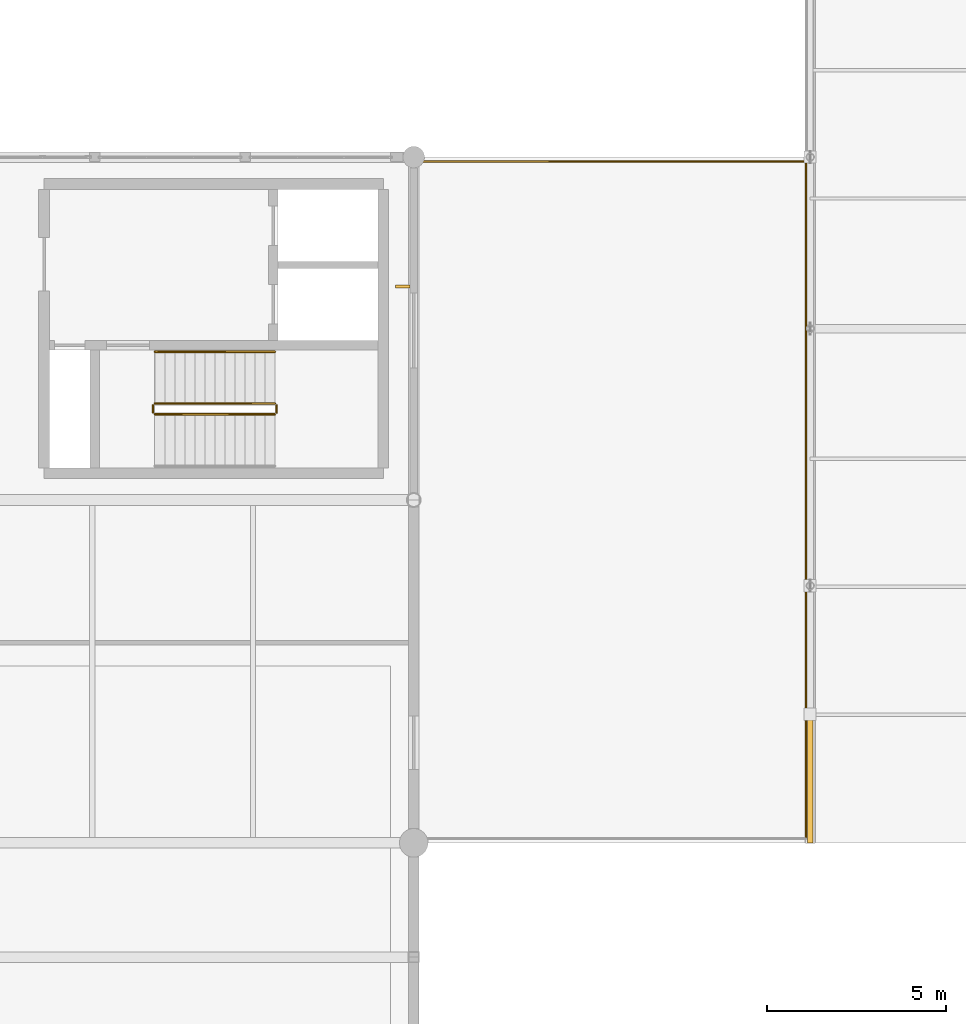
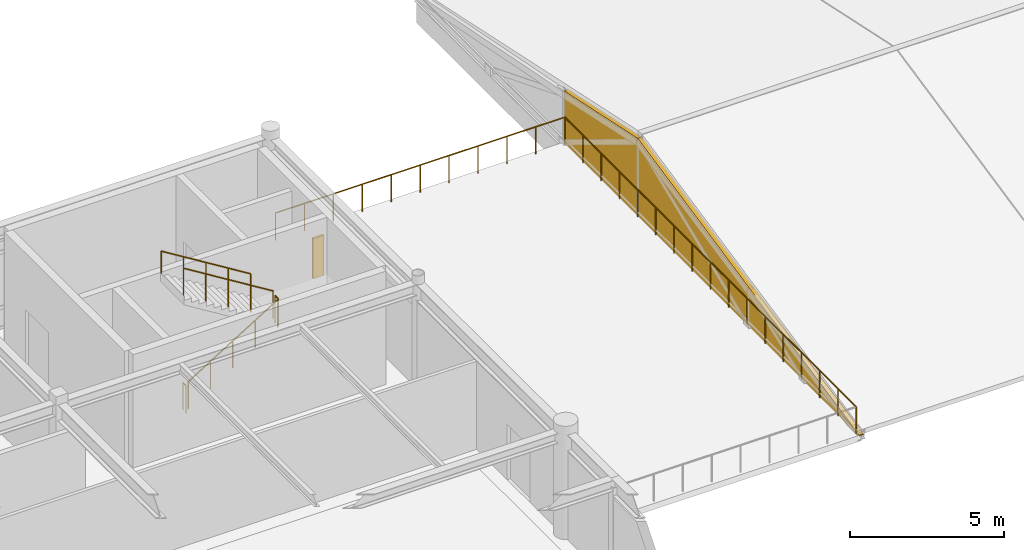
# One storey, part 59 of 61: 7 railings, 1 covering, 1 shading device.
"""IFC4 building model written with IfcOpenShell, lengths in metres."""

from ifc_helpers import new_model, si_unit, direction, frame, origin, origin_2d, place, context, subcontext, project, spatial, polyline, rectangle, circle, outline, extrude, material, layer, layer_set, type_object, element, save


model = new_model("IFC4")

# Units and contexts
model_context = context("Model", 3, precision=1e-05, world=origin(), true_north=direction((0.0, 1.0)))
body_context = subcontext(model_context, "Body", "Model", "MODEL_VIEW")
ifc_project = project(units=[si_unit("LENGTHUNIT", "METRE"), si_unit("AREAUNIT", "SQUARE_METRE"), si_unit("VOLUMEUNIT", "CUBIC_METRE"), si_unit("PLANEANGLEUNIT", "RADIAN"), si_unit("MASSUNIT", "GRAM", prefix="KILO")], contexts=[model_context])

# Site, building, storey
site_placement = place(None, origin())
site = spatial("IfcSite", under=ifc_project, at=site_placement, CompositionType="ELEMENT")
building_placement = place(site_placement, origin())
building = spatial("IfcBuilding", under=site, at=building_placement, Name="Fikremerkos Civic Library", CompositionType="ELEMENT")
storey_placement = place(building_placement, frame((0.0, 0.0, 14.39990234375)))
storey = spatial("IfcBuildingStorey", under=building, at=storey_placement, Name="L03", CompositionType="ELEMENT", Elevation=14.39990234375)

# Railings
ifc_material_1 = material(Name="Painted Steel S275", Category="steel")
railing_type_1 = type_object("IfcRailingType", Name="Interior balustrade guard RLG-INT 1100", PredefinedType="BALUSTRADE", material=ifc_material_1)
railing_1_placement = place(storey_placement, frame((106.449951171875, 24.0, 0.173095703125)))
element("IfcRailing", 1, at=railing_1_placement, inside=storey, type_object=railing_type_1, Name="L03 ST-K2 stair guard 1", PredefinedType="BALUSTRADE", context=body_context, shape_type="SweptSolid", body=[
    extrude(circle(Radius=0.02392578125, at=origin_2d()), frame((0.0, 0.0, 1.076171875), z_axis=(0.850623216509, 0.0, 0.525775754039), x_axis=(0.0, 1.0, 0.0)), (0.0, 0.0, 1.0), 3.9501953125),
    extrude(circle(Radius=0.02099609375, at=origin_2d()), origin(), (0.0, 0.0, 1.0), 1.052001953125),
    extrude(circle(Radius=0.02099609375, at=origin_2d()), frame((0.840087890625, 0.0, 0.519287109375)), (0.0, 0.0, 1.0), 1.052001953125),
    extrude(circle(Radius=0.02099609375, at=origin_2d()), frame((1.68017578125, 0.0, 1.03857421875)), (0.0, 0.0, 1.0), 1.052001953125),
    extrude(circle(Radius=0.02099609375, at=origin_2d()), frame((2.52001953125, 0.0, 1.5576171875)), (0.0, 0.0, 1.0), 1.052001953125),
    extrude(circle(Radius=0.02099609375, at=origin_2d()), frame((3.360107421875, 0.0, 2.076904296875)), (0.0, 0.0, 1.0), 1.052001953125),
])
railing_2_placement = place(storey_placement, frame((109.860107421875, 24.050048828125, 2.25)))
element("IfcRailing", 2, at=railing_2_placement, inside=storey, type_object=railing_type_1, Name="L03 ST-K2 stair guard 2", PredefinedType="BALUSTRADE", context=body_context, shape_type="SweptSolid", body=[
    extrude(circle(Radius=0.02392578125, at=origin_2d()), frame((0.0, 0.0, 1.076171875), z_axis=(0.0, 1.0, 0.0), x_axis=(-1.0, 0.0, 0.0)), (0.0, 0.0, 1.0), 0.199951171875),
    extrude(circle(Radius=0.02099609375, at=origin_2d()), origin(), (0.0, 0.0, 1.0), 1.052001953125),
    extrude(circle(Radius=0.02099609375, at=origin_2d()), frame((0.0, 0.199951171875, 0.0)), (0.0, 0.0, 1.0), 1.052001953125),
])
railing_3_placement = place(storey_placement, frame((109.81005859375, 24.300048828125, 2.423095703125)))
element("IfcRailing", 3, at=railing_3_placement, inside=storey, type_object=railing_type_1, Name="L03 ST-K2 stair guard 3", PredefinedType="BALUSTRADE", context=body_context, shape_type="SweptSolid", body=[
    extrude(circle(Radius=0.02392578125, at=origin_2d()), frame((0.0, 0.0, 1.076171875), z_axis=(-0.850623216509, 0.0, 0.525775754039), x_axis=(0.0, -1.0, 0.0)), (0.0, 0.0, 1.0), 3.9501953125),
    extrude(circle(Radius=0.02099609375, at=origin_2d()), origin(), (0.0, 0.0, 1.0), 1.052001953125),
    extrude(circle(Radius=0.02099609375, at=origin_2d()), frame((-0.840087890625, 0.0, 0.519287109375)), (0.0, 0.0, 1.0), 1.052001953125),
    extrude(circle(Radius=0.02099609375, at=origin_2d()), frame((-1.68017578125, 0.0, 1.03857421875)), (0.0, 0.0, 1.0), 1.052001953125),
    extrude(circle(Radius=0.02099609375, at=origin_2d()), frame((-2.52001953125, 0.0, 1.5576171875)), (0.0, 0.0, 1.0), 1.052001953125),
    extrude(circle(Radius=0.02099609375, at=origin_2d()), frame((-3.360107421875, 0.0, 2.076904296875)), (0.0, 0.0, 1.0), 1.052001953125),
])
railing_4_placement = place(storey_placement, frame((106.39990234375, 24.050048828125, 0.0)))
element("IfcRailing", 4, at=railing_4_placement, inside=storey, type_object=railing_type_1, Name="L03 ST-K2 stair guard 4", PredefinedType="BALUSTRADE", context=body_context, shape_type="SweptSolid", body=[
    extrude(circle(Radius=0.02392578125, at=origin_2d()), frame((0.0, 0.0, 1.076171875), z_axis=(0.0, 1.0, 0.0), x_axis=(-1.0, 0.0, 0.0)), (0.0, 0.0, 1.0), 0.199951171875),
    extrude(circle(Radius=0.02099609375, at=origin_2d()), origin(), (0.0, 0.0, 1.0), 1.052001953125),
    extrude(circle(Radius=0.02099609375, at=origin_2d()), frame((0.0, 0.199951171875, 0.0)), (0.0, 0.0, 1.0), 1.052001953125),
])

# Shading device
ifc_material_2 = material(Name="Bronze anodized aluminium", Category="aluminium")
shading_device_type = type_object("IfcShadingDeviceType", Name="Perforated bronze vertical solar fin SHD-02", PredefinedType="USERDEFINED", material=ifc_material_2)
shading_device_placement = place(storey_placement, frame((113.389892578125, 27.58154296875, 0.824951171875), z_axis=(0.0, 0.0, 1.0), x_axis=(0.0, 1.0, 0.0)))
element("IfcShadingDevice", 5, at=shading_device_placement, inside=storey, type_object=shading_device_type, Name="Vertical bronze solar fin SHD-02 L03 #54", ObjectType="SOLAR FIN", PredefinedType="USERDEFINED", context=body_context, shape_type="SweptSolid", body=[
    extrude(rectangle(XDim=0.080078125, YDim=0.39990234375, at=origin_2d()), origin(), (0.0, 0.0, 1.0), 1.60009765625),
])

# Covering
ifc_material_3 = material(Name="Precast basalt cladding panel", Category="masonry")
ifc_layer = layer(ifc_material_3, 0.159912109375, Name="Precast basalt cladding panel")
ifc_layer_set = layer_set([ifc_layer], Name="Precast basalt cladding panel")
covering_type = type_object("IfcCoveringType", Name="Precast basalt cladding panel CLD-02", PredefinedType="CLADDING", material=ifc_layer_set)
covering_placement = place(storey_placement, frame((124.800048828125, 12.0, -0.02978515625), z_axis=(0.0, 0.0, 1.0), x_axis=(0.0, 1.0, 0.0)))
element("IfcCovering", 6, at=covering_placement, inside=storey, type_object=covering_type, Name="Auditorium west-south gable tympanum closure CLD-02", PredefinedType="CLADDING", context=body_context, shape_type="SweptSolid", body=[
    extrude(outline(polyline([(0.0, 0.0), (19.199951171875, 0.0), (19.199951171875, 2.06982421875), (14.39990234375, 3.08984375), (0.0, 0.02978515625), (0.0, 0.0)])), frame((0.0, 0.080078125, 0.0), z_axis=(0.0, -1.0, 0.0), x_axis=(1.0, 0.0, 0.0)), (0.0, 0.0, 1.0), 0.159912109375),
])

# Railings
railing_type_2 = type_object("IfcRailingType", Name="Terrace balustrade guard RLG-EXT 1100", PredefinedType="BALUSTRADE", material=ifc_material_1)
railing_5_placement = place(storey_placement, frame((124.679931640625, 12.1201171875, 0.0)))
element("IfcRailing", 7, at=railing_5_placement, inside=storey, type_object=railing_type_2, Name="Terrace balustrade guard L03-TERR-01 east", PredefinedType="BALUSTRADE", context=body_context, shape_type="SweptSolid", body=[
    extrude(circle(Radius=0.02392578125, at=origin_2d()), frame((0.0, 0.0, 1.076171875), z_axis=(0.0, 1.0, 0.0), x_axis=(-1.0, 0.0, 0.0)), (0.0, 0.0, 1.0), 18.9599609375),
    extrude(circle(Radius=0.02099609375, at=origin_2d()), origin(), (0.0, 0.0, 1.0), 1.052001953125),
    extrude(circle(Radius=0.02099609375, at=origin_2d()), frame((0.0, 1.18505859375, 0.0)), (0.0, 0.0, 1.0), 1.052001953125),
    extrude(circle(Radius=0.02099609375, at=origin_2d()), frame((0.0, 2.3701171875, 0.0)), (0.0, 0.0, 1.0), 1.052001953125),
    extrude(circle(Radius=0.02099609375, at=origin_2d()), frame((0.0, 3.554931640625, 0.0)), (0.0, 0.0, 1.0), 1.052001953125),
    extrude(circle(Radius=0.02099609375, at=origin_2d()), frame((0.0, 4.739990234375, 0.0)), (0.0, 0.0, 1.0), 1.052001953125),
    extrude(circle(Radius=0.02099609375, at=origin_2d()), frame((0.0, 5.925048828125, 0.0)), (0.0, 0.0, 1.0), 1.052001953125),
    extrude(circle(Radius=0.02099609375, at=origin_2d()), frame((0.0, 7.10986328125, 0.0)), (0.0, 0.0, 1.0), 1.052001953125),
    extrude(circle(Radius=0.02099609375, at=origin_2d()), frame((0.0, 8.294921875, 0.0)), (0.0, 0.0, 1.0), 1.052001953125),
    extrude(circle(Radius=0.02099609375, at=origin_2d()), frame((0.0, 9.47998046875, 0.0)), (0.0, 0.0, 1.0), 1.052001953125),
    extrude(circle(Radius=0.02099609375, at=origin_2d()), frame((0.0, 10.6650390625, 0.0)), (0.0, 0.0, 1.0), 1.052001953125),
    extrude(circle(Radius=0.02099609375, at=origin_2d()), frame((0.0, 11.85009765625, 0.0)), (0.0, 0.0, 1.0), 1.052001953125),
    extrude(circle(Radius=0.02099609375, at=origin_2d()), frame((0.0, 13.034912109375, 0.0)), (0.0, 0.0, 1.0), 1.052001953125),
    extrude(circle(Radius=0.02099609375, at=origin_2d()), frame((0.0, 14.219970703125, 0.0)), (0.0, 0.0, 1.0), 1.052001953125),
    extrude(circle(Radius=0.02099609375, at=origin_2d()), frame((0.0, 15.405029296875, 0.0)), (0.0, 0.0, 1.0), 1.052001953125),
    extrude(circle(Radius=0.02099609375, at=origin_2d()), frame((0.0, 16.58984375, 0.0)), (0.0, 0.0, 1.0), 1.052001953125),
    extrude(circle(Radius=0.02099609375, at=origin_2d()), frame((0.0, 17.77490234375, 0.0)), (0.0, 0.0, 1.0), 1.052001953125),
    extrude(circle(Radius=0.02099609375, at=origin_2d()), frame((0.0, 18.9599609375, 0.0)), (0.0, 0.0, 1.0), 1.052001953125),
])
railing_6_placement = place(storey_placement, frame((113.820068359375, 31.080078125, 0.0)))
element("IfcRailing", 8, at=railing_6_placement, inside=storey, type_object=railing_type_2, Name="Terrace balustrade guard L03-TERR-01 north", PredefinedType="BALUSTRADE", context=body_context, shape_type="SweptSolid", body=[
    extrude(circle(Radius=0.02392578125, at=origin_2d()), frame((0.0, 0.0, 1.076171875), z_axis=(1.0, 0.0, 0.0), x_axis=(0.0, 1.0, 0.0)), (0.0, 0.0, 1.0), 10.85986328125),
    extrude(circle(Radius=0.02099609375, at=origin_2d()), origin(), (0.0, 0.0, 1.0), 1.052001953125),
    extrude(circle(Radius=0.02099609375, at=origin_2d()), frame((1.0859375, 0.0, 0.0)), (0.0, 0.0, 1.0), 1.052001953125),
    extrude(circle(Radius=0.02099609375, at=origin_2d()), frame((2.171875, 0.0, 0.0)), (0.0, 0.0, 1.0), 1.052001953125),
    extrude(circle(Radius=0.02099609375, at=origin_2d()), frame((3.258056640625, 0.0, 0.0)), (0.0, 0.0, 1.0), 1.052001953125),
    extrude(circle(Radius=0.02099609375, at=origin_2d()), frame((4.343994140625, 0.0, 0.0)), (0.0, 0.0, 1.0), 1.052001953125),
    extrude(circle(Radius=0.02099609375, at=origin_2d()), frame((5.429931640625, 0.0, 0.0)), (0.0, 0.0, 1.0), 1.052001953125),
    extrude(circle(Radius=0.02099609375, at=origin_2d()), frame((6.515869140625, 0.0, 0.0)), (0.0, 0.0, 1.0), 1.052001953125),
    extrude(circle(Radius=0.02099609375, at=origin_2d()), frame((7.601806640625, 0.0, 0.0)), (0.0, 0.0, 1.0), 1.052001953125),
    extrude(circle(Radius=0.02099609375, at=origin_2d()), frame((8.68798828125, 0.0, 0.0)), (0.0, 0.0, 1.0), 1.052001953125),
    extrude(circle(Radius=0.02099609375, at=origin_2d()), frame((9.77392578125, 0.0, 0.0)), (0.0, 0.0, 1.0), 1.052001953125),
    extrude(circle(Radius=0.02099609375, at=origin_2d()), frame((10.85986328125, 0.0, 0.0)), (0.0, 0.0, 1.0), 1.052001953125),
])
ifc_material_4 = material(Name="Brushed stainless steel", Category="steel")
railing_type_3 = type_object("IfcRailingType", Name="Wall and flight handrail HRL-01 900", PredefinedType="HANDRAIL", material=ifc_material_4)
railing_7_placement = place(storey_placement, frame((109.81005859375, 25.75, 2.423095703125)))
element("IfcRailing", 9, at=railing_7_placement, inside=storey, type_object=railing_type_3, Name="L03 ST-K2 stair handrail 2", PredefinedType="HANDRAIL", context=body_context, shape_type="SweptSolid", body=[
    extrude(circle(Radius=0.02392578125, at=origin_2d()), frame((0.0, 0.0, 0.8759765625), z_axis=(-0.850623216509, 0.0, 0.525775754039), x_axis=(0.0, -1.0, 0.0)), (0.0, 0.0, 1.0), 3.9501953125),
    extrude(circle(Radius=0.02099609375, at=origin_2d()), origin(), (0.0, 0.0, 1.0), 0.851806640625),
    extrude(circle(Radius=0.02099609375, at=origin_2d()), frame((-0.840087890625, 0.0, 0.519287109375)), (0.0, 0.0, 1.0), 0.851806640625),
    extrude(circle(Radius=0.02099609375, at=origin_2d()), frame((-1.68017578125, 0.0, 1.03857421875)), (0.0, 0.0, 1.0), 0.851806640625),
    extrude(circle(Radius=0.02099609375, at=origin_2d()), frame((-2.52001953125, 0.0, 1.5576171875)), (0.0, 0.0, 1.0), 0.851806640625),
    extrude(circle(Radius=0.02099609375, at=origin_2d()), frame((-3.360107421875, 0.0, 2.076904296875)), (0.0, 0.0, 1.0), 0.851806640625),
])

save(model, "model.ifc")
